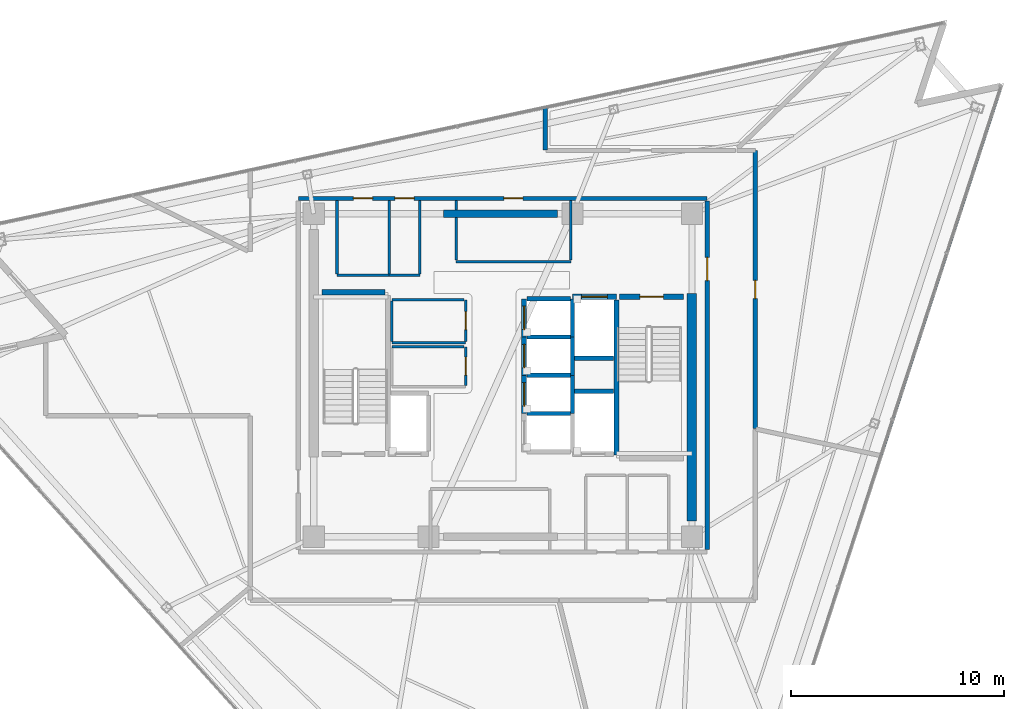
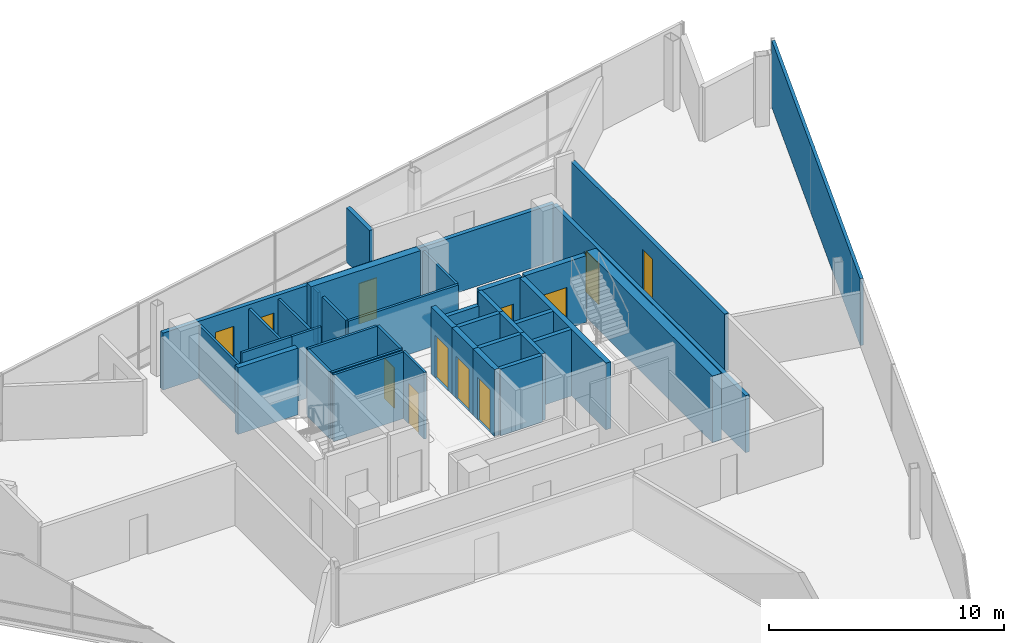
# One storey, part 11 of 15: 38 walls, 12 doors, 12 openings.
"""IFC4 building model written with IfcOpenShell, lengths in metres."""

from ifc_helpers import new_model, si_unit, direction, frame, frame_2d, origin, place, context, subcontext, project, spatial, rectangle, extrude, material, layer, layer_set, type_object, element, fill, save


model = new_model("IFC4")

# Units and contexts
model_context = context("Model", 3, precision=1e-05, world=origin(), true_north=direction((0.0, 1.0)))
body_context = subcontext(model_context, "Body", "Model", "MODEL_VIEW")
ifc_project = project(units=[si_unit("LENGTHUNIT", "METRE"), si_unit("AREAUNIT", "SQUARE_METRE"), si_unit("VOLUMEUNIT", "CUBIC_METRE"), si_unit("PLANEANGLEUNIT", "RADIAN"), si_unit("MASSUNIT", "GRAM", prefix="KILO")], contexts=[model_context])

# Site, building, storey
site_placement = place(None, origin())
site = spatial("IfcSite", under=ifc_project, at=site_placement, CompositionType="ELEMENT")
building_placement = place(site_placement, origin())
building = spatial("IfcBuilding", under=site, at=building_placement, Name="Tharavind Bronze Gate", CompositionType="ELEMENT")
storey_placement = place(building_placement, frame((0.0, 0.0, 283.39990234375)))
storey = spatial("IfcBuildingStorey", under=building, at=storey_placement, Name="L73", CompositionType="ELEMENT", Elevation=283.39990234375)

# Wall, openings, doors
ifc_material_1 = material(Name="Aerated Concrete Block", Category="concrete")
ifc_layer_1 = layer(ifc_material_1, 0.199951171875)
ifc_layer_set_1 = layer_set([ifc_layer_1], Name="Aerated Concrete Block")
wall_type_1 = type_object("IfcWallType", Name="FIRE RATED PARTITION 200", PredefinedType="PARTITIONING", material=ifc_layer_set_1)
wall_1_placement = place(storey_placement, frame((9.6201171875, 8.320068359375, 0.0), z_axis=(0.0, 0.0, 1.0), x_axis=(-1.0, 0.0, 0.0)))
wall_1 = element("IfcWall", 1, at=wall_1_placement, inside=storey, type_object=wall_type_1, Name="L73 north core corridor wall", PredefinedType="PARTITIONING", context=body_context, shape_type="SweptSolid", body=[
    extrude(rectangle(XDim=19.240234375, YDim=0.199951171875, at=frame_2d((9.6201171875, 0.0))), origin(), (0.0, 0.0, 1.0), 2.960205078125),
])
opening_1_placement = place(wall_1_placement, frame((8.669921875, 0.0, 0.0)))
opening_1 = element("IfcOpeningElement", 2, at=opening_1_placement, cuts=wall_1, Name="Opening ID07", PredefinedType="OPENING", context=body_context, shape_type="SweptSolid", body=[
    extrude(rectangle(XDim=0.89990234375, YDim=2.10009765625, at=frame_2d((0.449951171875, 1.050048828125))), frame((0.0, 0.11009765625, 0.0), z_axis=(0.0, -1.0, 0.0), x_axis=(1.0, 0.0, 0.0)), (0.0, 0.0, 1.0), 0.219951171875),
])
opening_2_placement = place(wall_1_placement, frame((15.7451171875, 0.0, 0.0)))
opening_2 = element("IfcOpeningElement", 3, at=opening_2_placement, cuts=wall_1, Name="Opening ID07", PredefinedType="OPENING", context=body_context, shape_type="SweptSolid", body=[
    extrude(rectangle(XDim=0.89990234375, YDim=2.10009765625, at=frame_2d((0.449951171875, 1.050048828125))), frame((0.0, 0.11009765625, 0.0), z_axis=(0.0, -1.0, 0.0), x_axis=(1.0, 0.0, 0.0)), (0.0, 0.0, 1.0), 0.219951171875),
])
opening_3_placement = place(wall_1_placement, frame((13.794921875, 0.0, 0.0)))
opening_3 = element("IfcOpeningElement", 4, at=opening_3_placement, cuts=wall_1, Name="Opening ID07", PredefinedType="OPENING", context=body_context, shape_type="SweptSolid", body=[
    extrude(rectangle(XDim=0.89990234375, YDim=2.10009765625, at=frame_2d((0.449951171875, 1.050048828125))), frame((0.0, 0.11009765625, 0.0), z_axis=(0.0, -1.0, 0.0), x_axis=(1.0, 0.0, 0.0)), (0.0, 0.0, 1.0), 0.219951171875),
])
ifc_material_2 = material(Name="Galvanised Fire Steel", Category="steel")
door_type_1 = type_object("IfcDoorType", Name="PLANT AND RISER FIRE DOOR 900X2100", OperationType="SINGLE_SWING_LEFT", PredefinedType="DOOR", material=ifc_material_2)
door_1_placement = place(opening_1_placement, origin())
door_1 = element("IfcDoor", 5, at=door_1_placement, inside=storey, type_object=door_type_1, Name="L73 Core Avionics Room fire door", OperationType="SINGLE_SWING_LEFT", OverallHeight=2.10009765625, OverallWidth=0.89990234375, PredefinedType="DOOR", context=body_context, shape_type="SweptSolid", body=[
    extrude(rectangle(XDim=0.89990234375, YDim=2.10009765625, at=frame_2d((0.449951171875, 1.050048828125))), frame((0.0, 0.02490234375, 0.0), z_axis=(0.0, -1.0, 0.0), x_axis=(1.0, 0.0, 0.0)), (0.0, 0.0, 1.0), 0.050048828125),
])
fill(opening_1, door_1)
door_2_placement = place(opening_2_placement, origin())
door_2 = element("IfcDoor", 6, at=door_2_placement, inside=storey, type_object=door_type_1, Name="L73 Electrical Metering Room fire door", OperationType="SINGLE_SWING_LEFT", OverallHeight=2.10009765625, OverallWidth=0.89990234375, PredefinedType="DOOR", context=body_context, shape_type="SweptSolid", body=[
    extrude(rectangle(XDim=0.89990234375, YDim=2.10009765625, at=frame_2d((0.449951171875, 1.050048828125))), frame((0.0, 0.02490234375, 0.0), z_axis=(0.0, -1.0, 0.0), x_axis=(1.0, 0.0, 0.0)), (0.0, 0.0, 1.0), 0.050048828125),
])
fill(opening_2, door_2)
door_3_placement = place(opening_3_placement, origin())
door_3 = element("IfcDoor", 7, at=door_3_placement, inside=storey, type_object=door_type_1, Name="L73 Linen Cupboard fire door", OperationType="SINGLE_SWING_LEFT", OverallHeight=2.10009765625, OverallWidth=0.89990234375, PredefinedType="DOOR", context=body_context, shape_type="SweptSolid", body=[
    extrude(rectangle(XDim=0.89990234375, YDim=2.10009765625, at=frame_2d((0.449951171875, 1.050048828125))), frame((0.0, 0.02490234375, 0.0), z_axis=(0.0, -1.0, 0.0), x_axis=(1.0, 0.0, 0.0)), (0.0, 0.0, 1.0), 0.050048828125),
])
fill(opening_3, door_3)

# Wall, opening, door
wall_2_placement = place(storey_placement, frame((9.6201171875, -8.199951171875, 0.0), z_axis=(0.0, 0.0, 1.0), x_axis=(0.0, 1.0, 0.0)))
wall_2 = element("IfcWall", 8, at=wall_2_placement, inside=storey, type_object=wall_type_1, Name="L73 east core corridor wall", PredefinedType="PARTITIONING", context=body_context, shape_type="SweptSolid", body=[
    extrude(rectangle(XDim=16.39990234375, YDim=0.199951171875, at=frame_2d((8.199951171875, 0.0))), origin(), (0.0, 0.0, 1.0), 2.960205078125),
])
opening_4_placement = place(wall_2_placement, frame((12.64990234375, 0.0, 0.0)))
opening_4 = element("IfcOpeningElement", 9, at=opening_4_placement, cuts=wall_2, Name="Opening ID01", PredefinedType="OPENING", context=body_context, shape_type="SweptSolid", body=[
    extrude(rectangle(XDim=1.10009765625, YDim=2.14990234375, at=frame_2d((0.550048828125, 1.074951171875))), frame((0.0, 0.11009765625, 0.0), z_axis=(0.0, -1.0, 0.0), x_axis=(1.0, 0.0, 0.0)), (0.0, 0.0, 1.0), 0.219951171875),
])
ifc_material_3 = material(Name="Fire-Rated Steel", Category="steel")
door_type_2 = type_object("IfcDoorType", Name="STAIR CORE FIRE DOOR 1100X2150", OperationType="SINGLE_SWING_LEFT", PredefinedType="DOOR", material=ifc_material_3)
door_4_placement = place(opening_4_placement, frame((1.10009765625, 0.0, 0.0), z_axis=(0.0, 0.0, 1.0), x_axis=(-1.0, 0.0, 0.0)))
door_4 = element("IfcDoor", 10, at=door_4_placement, inside=storey, type_object=door_type_2, Name="L73 north east stair lobby fire door", OperationType="SINGLE_SWING_LEFT", OverallHeight=2.14990234375, OverallWidth=1.10009765625, PredefinedType="DOOR", context=body_context, shape_type="SweptSolid", body=[
    extrude(rectangle(XDim=1.10009765625, YDim=2.14990234375, at=frame_2d((0.550048828125, 1.074951171875))), frame((0.0, 0.02490234375, 0.0), z_axis=(0.0, -1.0, 0.0), x_axis=(1.0, 0.0, 0.0)), (0.0, 0.0, 1.0), 0.050048828125),
])
fill(opening_4, door_4)

wall_3_placement = place(storey_placement, frame((11.8798828125, -2.5048828125, 0.0), z_axis=(0.0, 0.0, 1.0), x_axis=(0.0, 1.0, 0.0)))
wall_3 = element("IfcWall", 11, at=wall_3_placement, inside=storey, type_object=wall_type_1, Name="L73 Public Restrooms Block partition", PredefinedType="PARTITIONING", context=body_context, shape_type="SweptSolid", body=[
    extrude(rectangle(XDim=13.084228515625, YDim=0.199951171875, at=frame_2d((6.5419921875, 0.0))), origin(), (0.0, 0.0, 1.0), 2.960205078125),
])
opening_5_placement = place(wall_3_placement, frame((6.116943359375, 0.0, 0.0)))
opening_5 = element("IfcOpeningElement", 12, at=opening_5_placement, cuts=wall_3, Name="Opening ID06", PredefinedType="OPENING", context=body_context, shape_type="SweptSolid", body=[
    extrude(rectangle(XDim=0.85009765625, YDim=2.10009765625, at=frame_2d((0.425048828125, 1.050048828125))), frame((0.0, 0.11009765625, 0.0), z_axis=(0.0, -1.0, 0.0), x_axis=(1.0, 0.0, 0.0)), (0.0, 0.0, 1.0), 0.219951171875),
])
ifc_material_4 = material(Name="Moisture-Resistant Timber", Category="wood")
door_type_3 = type_object("IfcDoorType", Name="BATHROOM PRIVACY DOOR 850X2100", OperationType="SINGLE_SWING_RIGHT", PredefinedType="DOOR", material=ifc_material_4)
door_5_placement = place(opening_5_placement, origin())
door_5 = element("IfcDoor", 13, at=door_5_placement, inside=storey, type_object=door_type_3, Name="L73 Public Restrooms Block door", OperationType="SINGLE_SWING_RIGHT", OverallHeight=2.10009765625, OverallWidth=0.85009765625, PredefinedType="DOOR", context=body_context, shape_type="SweptSolid", body=[
    extrude(rectangle(XDim=0.85009765625, YDim=2.10009765625, at=frame_2d((0.425048828125, 1.050048828125))), frame((0.0, 0.02490234375, 0.0), z_axis=(0.0, -1.0, 0.0), x_axis=(1.0, 0.0, 0.0)), (0.0, 0.0, 1.0), 0.050048828125),
])
fill(opening_5, door_5)

# Walls
wall_4_placement = place(storey_placement, frame((2.0, 10.60498046875, 0.0), z_axis=(0.0, 0.0, 1.0), x_axis=(0.0, 1.0, 0.0)))
element("IfcWall", 14, at=wall_4_placement, inside=storey, type_object=wall_type_1, Name="L73 Crown Members Reading Study partition", PredefinedType="PARTITIONING", context=body_context, shape_type="SweptSolid", body=[
    extrude(rectangle(XDim=1.990966796875, YDim=0.199951171875, at=frame_2d((0.99560546875, 0.0))), origin(), (0.0, 0.0, 1.0), 2.81005859375),
])
ifc_material_5 = material(Name="Metal Stud Gypsum Partition", Category="gypsum")
ifc_layer_2 = layer(ifc_material_5, 0.1201171875)
ifc_layer_set_2 = layer_set([ifc_layer_2], Name="Metal Stud Gypsum Partition")
wall_type_2 = type_object("IfcWallType", Name="INTERIOR PARTITION WALL 120", PredefinedType="PARTITIONING", material=ifc_layer_set_2)
wall_5_placement = place(storey_placement, frame((-5.219970703125, 1.52001953125, 0.0), z_axis=(0.0, 0.0, 1.0), x_axis=(1.0, 0.0, 0.0)))
element("IfcWall", 15, at=wall_5_placement, inside=storey, type_object=wall_type_2, Name="L73 Cleaner Store Room partition 1", PredefinedType="PARTITIONING", context=body_context, shape_type="SweptSolid", body=[
    extrude(rectangle(XDim=3.469970703125, YDim=0.1201171875, at=frame_2d((1.73486328125, 0.0))), origin(), (0.0, 0.0, 1.0), 3.465087890625),
])

# Wall, opening, door
wall_6_placement = place(storey_placement, frame((-1.75, 1.5849609375, 0.0), z_axis=(0.0, 0.0, 1.0), x_axis=(0.0, 1.0, 0.0)))
wall_6 = element("IfcWall", 16, at=wall_6_placement, inside=storey, type_object=wall_type_2, Name="L73 Cleaner Store Room partition 2", PredefinedType="PARTITIONING", context=body_context, shape_type="SweptSolid", body=[
    extrude(rectangle(XDim=1.965087890625, YDim=0.1201171875, at=frame_2d((0.982421875, 0.0))), origin(), (0.0, 0.0, 1.0), 3.465087890625),
])
opening_6_placement = place(wall_6_placement, frame((0.556884765625, 0.0, 0.0)))
opening_6 = element("IfcOpeningElement", 17, at=opening_6_placement, cuts=wall_6, Name="Opening ID06", PredefinedType="OPENING", context=body_context, shape_type="SweptSolid", body=[
    extrude(rectangle(XDim=0.85009765625, YDim=2.10009765625, at=frame_2d((0.425048828125, 1.050048828125))), frame((0.0, 0.07005859375, 0.0), z_axis=(0.0, -1.0, 0.0), x_axis=(1.0, 0.0, 0.0)), (0.0, 0.0, 1.0), 0.1401171875),
])
door_6_placement = place(opening_6_placement, frame((0.85009765625, 0.0, 0.0), z_axis=(0.0, 0.0, 1.0), x_axis=(-1.0, 0.0, 0.0)))
door_6 = element("IfcDoor", 18, at=door_6_placement, inside=storey, type_object=door_type_3, Name="L73 Cleaner Store Room door", OperationType="SINGLE_SWING_RIGHT", OverallHeight=2.10009765625, OverallWidth=0.85009765625, PredefinedType="DOOR", context=body_context, shape_type="SweptSolid", body=[
    extrude(rectangle(XDim=0.85009765625, YDim=2.10009765625, at=frame_2d((0.425048828125, 1.050048828125))), frame((0.0, 0.02490234375, 0.0), z_axis=(0.0, -1.0, 0.0), x_axis=(1.0, 0.0, 0.0)), (0.0, 0.0, 1.0), 0.050048828125),
])
fill(opening_6, door_6)

# Walls
wall_7_placement = place(storey_placement, frame((-1.81494140625, 3.550048828125, 0.0), z_axis=(0.0, 0.0, 1.0), x_axis=(-1.0, 0.0, 0.0)))
element("IfcWall", 19, at=wall_7_placement, inside=storey, type_object=wall_type_2, Name="L73 Cleaner Store Room partition 3", PredefinedType="PARTITIONING", context=body_context, shape_type="SweptSolid", body=[
    extrude(rectangle(XDim=3.405029296875, YDim=0.1201171875, at=frame_2d((1.70263671875, 0.0))), origin(), (0.0, 0.0, 1.0), 3.465087890625),
])
wall_8_placement = place(storey_placement, frame((-5.219970703125, 3.485107421875, 0.0), z_axis=(0.0, 0.0, 1.0), x_axis=(0.0, -1.0, 0.0)))
element("IfcWall", 20, at=wall_8_placement, inside=storey, type_object=wall_type_2, Name="L73 Cleaner Store Room partition 4", PredefinedType="PARTITIONING", context=body_context, shape_type="SweptSolid", body=[
    extrude(rectangle(XDim=1.900146484375, YDim=0.1201171875, at=frame_2d((0.9501953125, 0.0))), origin(), (0.0, 0.0, 1.0), 3.465087890625),
])

# Wall, opening, door
wall_9_placement = place(storey_placement, frame((-1.75, -0.485107421875, 0.0), z_axis=(0.0, 0.0, 1.0), x_axis=(0.0, 1.0, 0.0)))
wall_9 = element("IfcWall", 21, at=wall_9_placement, inside=storey, type_object=wall_type_2, Name="L73 Electrical Switch Room partition 2", PredefinedType="PARTITIONING", context=body_context, shape_type="SweptSolid", body=[
    extrude(rectangle(XDim=1.8251953125, YDim=0.1201171875, at=frame_2d((0.91259765625, 0.0))), origin(), (0.0, 0.0, 1.0), 3.465087890625),
])
opening_7_placement = place(wall_9_placement, frame((0.488037109375, 0.0, 0.0)))
opening_7 = element("IfcOpeningElement", 22, at=opening_7_placement, cuts=wall_9, Name="Opening ID06", PredefinedType="OPENING", context=body_context, shape_type="SweptSolid", body=[
    extrude(rectangle(XDim=0.85009765625, YDim=2.10009765625, at=frame_2d((0.425048828125, 1.050048828125))), frame((0.0, 0.07005859375, 0.0), z_axis=(0.0, -1.0, 0.0), x_axis=(1.0, 0.0, 0.0)), (0.0, 0.0, 1.0), 0.1401171875),
])
door_7_placement = place(opening_7_placement, frame((0.85009765625, 0.0, 0.0), z_axis=(0.0, 0.0, 1.0), x_axis=(-1.0, 0.0, 0.0)))
door_7 = element("IfcDoor", 23, at=door_7_placement, inside=storey, type_object=door_type_3, Name="L73 Electrical Switch Room door", OperationType="SINGLE_SWING_RIGHT", OverallHeight=2.10009765625, OverallWidth=0.85009765625, PredefinedType="DOOR", context=body_context, shape_type="SweptSolid", body=[
    extrude(rectangle(XDim=0.85009765625, YDim=2.10009765625, at=frame_2d((0.425048828125, 1.050048828125))), frame((0.0, 0.02490234375, 0.0), z_axis=(0.0, -1.0, 0.0), x_axis=(1.0, 0.0, 0.0)), (0.0, 0.0, 1.0), 0.050048828125),
])
fill(opening_7, door_7)

# Walls
wall_10_placement = place(storey_placement, frame((-1.81494140625, 1.340087890625, 0.0), z_axis=(0.0, 0.0, 1.0), x_axis=(-1.0, 0.0, 0.0)))
element("IfcWall", 24, at=wall_10_placement, inside=storey, type_object=wall_type_2, Name="L73 Electrical Switch Room partition 3", PredefinedType="PARTITIONING", context=body_context, shape_type="SweptSolid", body=[
    extrude(rectangle(XDim=3.405029296875, YDim=0.1201171875, at=frame_2d((1.70263671875, 0.0))), origin(), (0.0, 0.0, 1.0), 3.465087890625),
])
wall_11_placement = place(storey_placement, frame((-2.199951171875, 5.35009765625, 0.0), z_axis=(0.0, 0.0, 1.0), x_axis=(1.0, 0.0, 0.0)))
element("IfcWall", 25, at=wall_11_placement, inside=storey, type_object=wall_type_2, Name="L73 Core Avionics Room partition 1", PredefinedType="PARTITIONING", context=body_context, shape_type="SweptSolid", body=[
    extrude(rectangle(XDim=5.39990234375, YDim=0.1201171875, at=frame_2d((2.699951171875, 0.0))), origin(), (0.0, 0.0, 1.0), 2.760009765625),
])
wall_12_placement = place(storey_placement, frame((3.199951171875, 5.4150390625, 0.0), z_axis=(0.0, 0.0, 1.0), x_axis=(0.0, 1.0, 0.0)))
element("IfcWall", 26, at=wall_12_placement, inside=storey, type_object=wall_type_2, Name="L73 Core Avionics Room partition 2", PredefinedType="PARTITIONING", context=body_context, shape_type="SweptSolid", body=[
    extrude(rectangle(XDim=2.800048828125, YDim=0.1201171875, at=frame_2d((1.39990234375, 0.0))), origin(), (0.0, 0.0, 1.0), 2.760009765625),
])
wall_13_placement = place(storey_placement, frame((-2.199951171875, 8.215087890625, 0.0), z_axis=(0.0, 0.0, 1.0), x_axis=(0.0, -1.0, 0.0)))
element("IfcWall", 27, at=wall_13_placement, inside=storey, type_object=wall_type_2, Name="L73 Core Avionics Room partition 4", PredefinedType="PARTITIONING", context=body_context, shape_type="SweptSolid", body=[
    extrude(rectangle(XDim=0.43505859375, YDim=0.1201171875, at=frame_2d((0.217529296875, 0.0))), origin(), (0.0, 0.0, 1.0), 2.760009765625),
])
wall_14_placement = place(storey_placement, frame((-2.199951171875, 7.419921875, 0.0), z_axis=(0.0, 0.0, 1.0), x_axis=(0.0, -1.0, 0.0)))
element("IfcWall", 28, at=wall_14_placement, inside=storey, type_object=wall_type_2, Name="L73 Core Avionics Room partition 4", PredefinedType="PARTITIONING", context=body_context, shape_type="SweptSolid", body=[
    extrude(rectangle(XDim=2.0048828125, YDim=0.1201171875, at=frame_2d((1.00244140625, 0.0))), origin(), (0.0, 0.0, 1.0), 2.760009765625),
])
wall_15_placement = place(storey_placement, frame((-7.800048828125, 4.699951171875, 0.0), z_axis=(0.0, 0.0, 1.0), x_axis=(1.0, 0.0, 0.0)))
element("IfcWall", 29, at=wall_15_placement, inside=storey, type_object=wall_type_2, Name="L73 Electrical Metering Room partition 1", PredefinedType="PARTITIONING", context=body_context, shape_type="SweptSolid", body=[
    extrude(rectangle(XDim=2.449951171875, YDim=0.1201171875, at=frame_2d((1.22509765625, 0.0))), origin(), (0.0, 0.0, 1.0), 3.465087890625),
])
for number, where, z_axis, x_axis, name in (
    (30, (-5.35009765625, 4.764892578125, 0.0), (0.0, 0.0, 1.0), (0.0, 1.0, 0.0), "L73 Electrical Metering Room partition 2"),
    (31, (-7.800048828125, 8.215087890625, 0.0), (0.0, 0.0, 1.0), (0.0, -1.0, 0.0), "L73 Electrical Metering Room partition 4"),
):
    element("IfcWall", number, at=place(storey_placement, frame(where, z_axis=z_axis, x_axis=x_axis)), inside=storey, type_object=wall_type_2, Name=name, PredefinedType="PARTITIONING", context=body_context, shape_type="SweptSolid", body=[
        extrude(rectangle(XDim=3.4501953125, YDim=0.1201171875, at=frame_2d((1.72509765625, 0.0))), origin(), (0.0, 0.0, 1.0), 2.760009765625),
    ])
wall_16_placement = place(storey_placement, frame((-5.35009765625, 4.699951171875, 0.0), z_axis=(0.0, 0.0, 1.0), x_axis=(1.0, 0.0, 0.0)))
element("IfcWall", 32, at=wall_16_placement, inside=storey, type_object=wall_type_2, Name="L73 Linen Cupboard partition 1", PredefinedType="PARTITIONING", context=body_context, shape_type="SweptSolid", body=[
    extrude(rectangle(XDim=1.4501953125, YDim=0.1201171875, at=frame_2d((0.72509765625, 0.0))), origin(), (0.0, 0.0, 1.0), 3.465087890625),
])
wall_17_placement = place(storey_placement, frame((-3.89990234375, 4.764892578125, 0.0), z_axis=(0.0, 0.0, 1.0), x_axis=(0.0, 1.0, 0.0)))
element("IfcWall", 33, at=wall_17_placement, inside=storey, type_object=wall_type_2, Name="L73 Linen Cupboard partition 2", PredefinedType="PARTITIONING", context=body_context, shape_type="SweptSolid", body=[
    extrude(rectangle(XDim=3.4501953125, YDim=0.1201171875, at=frame_2d((1.72509765625, 0.0))), origin(), (0.0, 0.0, 1.0), 2.760009765625),
])
ifc_material_6 = material(Name="Twin Stud Acoustic Gypsum", Category="gypsum")
ifc_layer_3 = layer(ifc_material_6, 0.14990234375)
ifc_layer_set_3 = layer_set([ifc_layer_3], Name="Twin Stud Acoustic Gypsum")
wall_type_3 = type_object("IfcWallType", Name="INTERIOR PARTITION WALL 150", PredefinedType="PARTITIONING", material=ifc_layer_set_3)
wall_18_placement = place(storey_placement, frame((23.378662109375, 13.43310546875, 0.0), z_axis=(0.0, 0.0, 1.0), x_axis=(-0.309022856951, -0.951054611409, 0.0)))
element("IfcWall", 34, at=wall_18_placement, inside=storey, type_object=wall_type_3, Name="L73 Public Restrooms Block partition", PredefinedType="PARTITIONING", context=body_context, shape_type="SweptSolid", body=[
    extrude(rectangle(XDim=18.076904296875, YDim=0.14990234375, at=frame_2d((9.03857421875, 0.0))), origin(), (0.0, 0.0, 1.0), 3.465087890625),
])
ifc_material_7 = material(Name="Concrete C50/60", Category="concrete")
ifc_layer_4 = layer(ifc_material_7, 0.25)
ifc_layer_set_4 = layer_set([ifc_layer_4], Name="Concrete C50/60")
wall_type_4 = type_object("IfcWallType", Name="RC CORE SHEAR WALL 250", PredefinedType="SHEAR", material=ifc_layer_set_4)
wall_19_placement = place(storey_placement, frame((-8.5, 3.89990234375, 0.0), z_axis=(0.0, 0.0, 1.0), x_axis=(1.0, 0.0, 0.0)))
element("IfcWall", 35, at=wall_19_placement, inside=storey, type_object=wall_type_4, Name="L73 ST1 shaft north wall", PredefinedType="SHEAR", context=body_context, shape_type="SweptSolid", body=[
    extrude(rectangle(XDim=2.949951171875, YDim=0.25, at=frame_2d((1.47509765625, 0.0))), origin(), (0.0, 0.0, 1.0), 3.465087890625),
])
wall_20_placement = place(storey_placement, frame((5.35009765625, -3.75, 0.0), z_axis=(0.0, 0.0, 1.0), x_axis=(0.0, 1.0, 0.0)))
element("IfcWall", 36, at=wall_20_placement, inside=storey, type_object=wall_type_4, Name="L73 ST2 shaft west wall", PredefinedType="SHEAR", context=body_context, shape_type="SweptSolid", body=[
    extrude(rectangle(XDim=7.300048828125, YDim=0.25, at=frame_2d((3.64990234375, 0.0))), origin(), (0.0, 0.0, 1.0), 3.465087890625),
])

# Wall, opening, door
wall_21_placement = place(storey_placement, frame((5.5, 3.699951171875, 0.0), z_axis=(0.0, 0.0, 1.0), x_axis=(1.0, 0.0, 0.0)))
wall_21 = element("IfcWall", 37, at=wall_21_placement, inside=storey, type_object=wall_type_4, Name="L73 ST2 shaft north wall", PredefinedType="SHEAR", context=body_context, shape_type="SweptSolid", body=[
    extrude(rectangle(XDim=3.0, YDim=0.25, at=frame_2d((1.5, 0.0))), origin(), (0.0, 0.0, 1.0), 3.465087890625),
])
opening_8_placement = place(wall_21_placement, frame((0.949951171875, 0.0, 0.0)))
opening_8 = element("IfcOpeningElement", 38, at=opening_8_placement, cuts=wall_21, Name="Opening ID01", PredefinedType="OPENING", context=body_context, shape_type="SweptSolid", body=[
    extrude(rectangle(XDim=1.10009765625, YDim=2.14990234375, at=frame_2d((0.550048828125, 1.074951171875))), frame((0.0, 0.135, 0.0), z_axis=(0.0, -1.0, 0.0), x_axis=(1.0, 0.0, 0.0)), (0.0, 0.0, 1.0), 0.27),
])
door_8_placement = place(opening_8_placement, frame((1.10009765625, 0.0, 0.0), z_axis=(0.0, 0.0, 1.0), x_axis=(-1.0, 0.0, 0.0)))
door_8 = element("IfcDoor", 39, at=door_8_placement, inside=storey, type_object=door_type_2, Name="L73 exit stair ST2 fire door", OperationType="SINGLE_SWING_LEFT", OverallHeight=2.14990234375, OverallWidth=1.10009765625, PredefinedType="DOOR", context=body_context, shape_type="SweptSolid", body=[
    extrude(rectangle(XDim=1.10009765625, YDim=2.14990234375, at=frame_2d((0.550048828125, 1.074951171875))), frame((0.0, 0.02490234375, 0.0), z_axis=(0.0, -1.0, 0.0), x_axis=(1.0, 0.0, 0.0)), (0.0, 0.0, 1.0), 0.050048828125),
])
fill(opening_8, door_8)

wall_22_placement = place(storey_placement, frame((1.0, -1.800048828125, 0.0), z_axis=(0.0, 0.0, 1.0), x_axis=(0.0, 1.0, 0.0)))
wall_22 = element("IfcWall", 40, at=wall_22_placement, inside=storey, type_object=wall_type_4, Name="L73 lift PL10 shaft front wall", PredefinedType="SHEAR", context=body_context, shape_type="SweptSolid", body=[
    extrude(rectangle(XDim=1.800048828125, YDim=0.25, at=frame_2d((0.89990234375, 0.0))), origin(), (0.0, 0.0, 1.0), 3.465087890625),
])
opening_9_placement = place(wall_22_placement, frame((0.35009765625, 0.0, 0.0)))
opening_9 = element("IfcOpeningElement", 41, at=opening_9_placement, cuts=wall_22, Name="Opening LD01", PredefinedType="OPENING", context=body_context, shape_type="SweptSolid", body=[
    extrude(rectangle(XDim=1.10009765625, YDim=2.199951171875, at=frame_2d((0.550048828125, 1.10009765625))), frame((0.0, 0.135, 0.0), z_axis=(0.0, -1.0, 0.0), x_axis=(1.0, 0.0, 0.0)), (0.0, 0.0, 1.0), 0.27),
])
ifc_material_8 = material(Name="Brushed Bronze Stainless Steel", Category="steel")
door_type_4 = type_object("IfcDoorType", Name="LIFT LANDING SLIDING DOOR 1100X2200", OperationType="SLIDING_TO_LEFT", PredefinedType="DOOR", material=ifc_material_8)
door_9_placement = place(opening_9_placement, origin())
door_9 = element("IfcDoor", 42, at=door_9_placement, inside=storey, type_object=door_type_4, Name="L73 lift PL10 sliding landing door", OperationType="SLIDING_TO_LEFT", OverallHeight=2.199951171875, OverallWidth=1.10009765625, PredefinedType="DOOR", context=body_context, shape_type="SweptSolid", body=[
    extrude(rectangle(XDim=1.10009765625, YDim=2.199951171875, at=frame_2d((0.550048828125, 1.10009765625))), frame((0.0, 0.02490234375, 0.0), z_axis=(0.0, -1.0, 0.0), x_axis=(1.0, 0.0, 0.0)), (0.0, 0.0, 1.0), 0.050048828125),
])
fill(opening_9, door_9)

wall_23_placement = place(storey_placement, frame((1.0, 0.0, 0.0), z_axis=(0.0, 0.0, 1.0), x_axis=(0.0, 1.0, 0.0)))
wall_23 = element("IfcWall", 43, at=wall_23_placement, inside=storey, type_object=wall_type_4, Name="L73 lift PL11 shaft front wall", PredefinedType="SHEAR", context=body_context, shape_type="SweptSolid", body=[
    extrude(rectangle(XDim=1.800048828125, YDim=0.25, at=frame_2d((0.89990234375, 0.0))), origin(), (0.0, 0.0, 1.0), 3.465087890625),
])
opening_10_placement = place(wall_23_placement, frame((0.35009765625, 0.0, 0.0)))
opening_10 = element("IfcOpeningElement", 44, at=opening_10_placement, cuts=wall_23, Name="Opening LD01", PredefinedType="OPENING", context=body_context, shape_type="SweptSolid", body=[
    extrude(rectangle(XDim=1.10009765625, YDim=2.199951171875, at=frame_2d((0.550048828125, 1.10009765625))), frame((0.0, 0.135, 0.0), z_axis=(0.0, -1.0, 0.0), x_axis=(1.0, 0.0, 0.0)), (0.0, 0.0, 1.0), 0.27),
])
door_10_placement = place(opening_10_placement, origin())
door_10 = element("IfcDoor", 45, at=door_10_placement, inside=storey, type_object=door_type_4, Name="L73 lift PL11 sliding landing door", OperationType="SLIDING_TO_LEFT", OverallHeight=2.199951171875, OverallWidth=1.10009765625, PredefinedType="DOOR", context=body_context, shape_type="SweptSolid", body=[
    extrude(rectangle(XDim=1.10009765625, YDim=2.199951171875, at=frame_2d((0.550048828125, 1.10009765625))), frame((0.0, 0.02490234375, 0.0), z_axis=(0.0, -1.0, 0.0), x_axis=(1.0, 0.0, 0.0)), (0.0, 0.0, 1.0), 0.050048828125),
])
fill(opening_10, door_10)

wall_24_placement = place(storey_placement, frame((1.0, 1.800048828125, 0.0), z_axis=(0.0, 0.0, 1.0), x_axis=(0.0, 1.0, 0.0)))
wall_24 = element("IfcWall", 46, at=wall_24_placement, inside=storey, type_object=wall_type_4, Name="L73 lift PL12 shaft front wall", PredefinedType="SHEAR", context=body_context, shape_type="SweptSolid", body=[
    extrude(rectangle(XDim=1.800048828125, YDim=0.25, at=frame_2d((0.89990234375, 0.0))), origin(), (0.0, 0.0, 1.0), 3.465087890625),
])
opening_11_placement = place(wall_24_placement, frame((0.35009765625, 0.0, 0.0)))
opening_11 = element("IfcOpeningElement", 47, at=opening_11_placement, cuts=wall_24, Name="Opening LD01", PredefinedType="OPENING", context=body_context, shape_type="SweptSolid", body=[
    extrude(rectangle(XDim=1.10009765625, YDim=2.199951171875, at=frame_2d((0.550048828125, 1.10009765625))), frame((0.0, 0.135, 0.0), z_axis=(0.0, -1.0, 0.0), x_axis=(1.0, 0.0, 0.0)), (0.0, 0.0, 1.0), 0.27),
])
door_11_placement = place(opening_11_placement, origin())
door_11 = element("IfcDoor", 48, at=door_11_placement, inside=storey, type_object=door_type_4, Name="L73 lift PL12 sliding landing door", OperationType="SLIDING_TO_LEFT", OverallHeight=2.199951171875, OverallWidth=1.10009765625, PredefinedType="DOOR", context=body_context, shape_type="SweptSolid", body=[
    extrude(rectangle(XDim=1.10009765625, YDim=2.199951171875, at=frame_2d((0.550048828125, 1.10009765625))), frame((0.0, 0.02490234375, 0.0), z_axis=(0.0, -1.0, 0.0), x_axis=(1.0, 0.0, 0.0)), (0.0, 0.0, 1.0), 0.050048828125),
])
fill(opening_11, door_11)

wall_25_placement = place(storey_placement, frame((3.280029296875, 3.699951171875, 0.0), z_axis=(0.0, 0.0, 1.0), x_axis=(1.0, 0.0, 0.0)))
wall_25 = element("IfcWall", 49, at=wall_25_placement, inside=storey, type_object=wall_type_4, Name="L73 lift FFL2 shaft front wall", PredefinedType="SHEAR", context=body_context, shape_type="SweptSolid", body=[
    extrude(rectangle(XDim=2.070068359375, YDim=0.25, at=frame_2d((1.03515625, 0.0))), origin(), (0.0, 0.0, 1.0), 3.465087890625),
])
opening_12_placement = place(wall_25_placement, frame((0.43505859375, 0.0, 0.0)))
opening_12 = element("IfcOpeningElement", 50, at=opening_12_placement, cuts=wall_25, Name="Opening LD02", PredefinedType="OPENING", context=body_context, shape_type="SweptSolid", body=[
    extrude(rectangle(XDim=1.199951171875, YDim=2.199951171875, at=frame_2d((0.60009765625, 1.10009765625))), frame((0.0, 0.135, 0.0), z_axis=(0.0, -1.0, 0.0), x_axis=(1.0, 0.0, 0.0)), (0.0, 0.0, 1.0), 0.27),
])
ifc_material_9 = material(Name="Brushed Stainless Steel", Category="steel")
door_type_5 = type_object("IfcDoorType", Name="FIREFIGHTING LIFT LANDING DOOR 1200X2200", OperationType="SLIDING_TO_RIGHT", PredefinedType="DOOR", material=ifc_material_9)
door_12_placement = place(opening_12_placement, origin())
door_12 = element("IfcDoor", 51, at=door_12_placement, inside=storey, type_object=door_type_5, Name="L73 lift FFL2 sliding landing door", OperationType="SLIDING_TO_RIGHT", OverallHeight=2.199951171875, OverallWidth=1.199951171875, PredefinedType="DOOR", context=body_context, shape_type="SweptSolid", body=[
    extrude(rectangle(XDim=1.199951171875, YDim=2.199951171875, at=frame_2d((0.60009765625, 1.10009765625))), frame((0.0, 0.02490234375, 0.0), z_axis=(0.0, -1.0, 0.0), x_axis=(1.0, 0.0, 0.0)), (0.0, 0.0, 1.0), 0.050048828125),
])
fill(opening_12, door_12)

# Walls
ifc_layer_5 = layer(ifc_material_7, 0.35009765625)
ifc_layer_set_5 = layer_set([ifc_layer_5], Name="Concrete C50/60")
wall_type_5 = type_object("IfcWallType", Name="RC CORE SHEAR WALL 350", PredefinedType="SHEAR", material=ifc_layer_set_5)
wall_26_placement = place(storey_placement, frame((-2.800048828125, 7.60009765625, 0.0), z_axis=(0.0, 0.0, 1.0), x_axis=(1.0, 0.0, 0.0)))
element("IfcWall", 52, at=wall_26_placement, inside=storey, type_object=wall_type_5, Name="L73 north core shear wall", PredefinedType="SHEAR", context=body_context, shape_type="SweptSolid", body=[
    extrude(rectangle(XDim=5.380126953125, YDim=0.35009765625, at=frame_2d((2.68994140625, 0.0))), origin(), (0.0, 0.0, 1.0), 3.465087890625),
])
ifc_material_10 = material(Name="Concrete C60/75", Category="concrete")
ifc_layer_6 = layer(ifc_material_10, 0.449951171875)
ifc_layer_set_6 = layer_set([ifc_layer_6], Name="Concrete C60/75")
wall_type_6 = type_object("IfcWallType", Name="RC CORE SHEAR WALL 450", PredefinedType="SHEAR", material=ifc_layer_set_6)
wall_27_placement = place(storey_placement, frame((8.89990234375, -6.85009765625, 0.0), z_axis=(0.0, 0.0, 1.0), x_axis=(0.0, 1.0, 0.0)))
element("IfcWall", 53, at=wall_27_placement, inside=storey, type_object=wall_type_6, Name="L73 east core shear wall", PredefinedType="SHEAR", context=body_context, shape_type="SweptSolid", body=[
    extrude(rectangle(XDim=10.7001953125, YDim=0.449951171875, at=frame_2d((5.35009765625, 0.0))), origin(), (0.0, 0.0, 1.0), 3.465087890625),
])
ifc_material_11 = material(Name="Concrete C40/50", Category="concrete")
ifc_layer_7 = layer(ifc_material_11, 0.199951171875)
ifc_layer_set_7 = layer_set([ifc_layer_7], Name="Concrete C40/50")
wall_type_7 = type_object("IfcWallType", Name="SHAFT ENCLOSURE WALL 200", PredefinedType="PARTITIONING", material=ifc_layer_set_7)
wall_28_placement = place(storey_placement, frame((1.1298828125, -1.800048828125, 0.0), z_axis=(0.0, 0.0, 1.0), x_axis=(1.0, 0.0, 0.0)))
element("IfcWall", 54, at=wall_28_placement, inside=storey, type_object=wall_type_7, Name="L73 lift PL9 shaft N enclosure wall", PredefinedType="PARTITIONING", context=body_context, shape_type="SweptSolid", body=[
    extrude(rectangle(XDim=2.045166015625, YDim=0.199951171875, at=frame_2d((1.0224609375, 0.0))), origin(), (0.0, 0.0, 1.0), 3.465087890625),
])
wall_29_placement = place(storey_placement, frame((3.280029296875, -1.800048828125, 0.0), z_axis=(0.0, 0.0, 1.0), x_axis=(0.0, 1.0, 0.0)))
element("IfcWall", 55, at=wall_29_placement, inside=storey, type_object=wall_type_7, Name="L73 lift PL10 shaft E enclosure wall", PredefinedType="PARTITIONING", context=body_context, shape_type="SweptSolid", body=[
    extrude(rectangle(XDim=1.800048828125, YDim=0.199951171875, at=frame_2d((0.89990234375, 0.0))), origin(), (0.0, 0.0, 1.0), 3.465087890625),
])
wall_30_placement = place(storey_placement, frame((1.1298828125, 0.0, 0.0), z_axis=(0.0, 0.0, 1.0), x_axis=(1.0, 0.0, 0.0)))
element("IfcWall", 56, at=wall_30_placement, inside=storey, type_object=wall_type_7, Name="L73 lift PL10 shaft N enclosure wall", PredefinedType="PARTITIONING", context=body_context, shape_type="SweptSolid", body=[
    extrude(rectangle(XDim=2.045166015625, YDim=0.199951171875, at=frame_2d((1.0224609375, 0.0))), origin(), (0.0, 0.0, 1.0), 3.465087890625),
])
wall_31_placement = place(storey_placement, frame((3.280029296875, 0.0, 0.0), z_axis=(0.0, 0.0, 1.0), x_axis=(0.0, 1.0, 0.0)))
element("IfcWall", 57, at=wall_31_placement, inside=storey, type_object=wall_type_7, Name="L73 lift PL11 shaft E enclosure wall", PredefinedType="PARTITIONING", context=body_context, shape_type="SweptSolid", body=[
    extrude(rectangle(XDim=1.800048828125, YDim=0.199951171875, at=frame_2d((0.89990234375, 0.0))), origin(), (0.0, 0.0, 1.0), 3.465087890625),
])
wall_32_placement = place(storey_placement, frame((1.1298828125, 1.800048828125, 0.0), z_axis=(0.0, 0.0, 1.0), x_axis=(1.0, 0.0, 0.0)))
element("IfcWall", 58, at=wall_32_placement, inside=storey, type_object=wall_type_7, Name="L73 lift PL11 shaft N enclosure wall", PredefinedType="PARTITIONING", context=body_context, shape_type="SweptSolid", body=[
    extrude(rectangle(XDim=2.045166015625, YDim=0.199951171875, at=frame_2d((1.0224609375, 0.0))), origin(), (0.0, 0.0, 1.0), 3.465087890625),
])
wall_33_placement = place(storey_placement, frame((3.280029296875, 1.800048828125, 0.0), z_axis=(0.0, 0.0, 1.0), x_axis=(0.0, 1.0, 0.0)))
element("IfcWall", 59, at=wall_33_placement, inside=storey, type_object=wall_type_7, Name="L73 lift PL12 shaft E enclosure wall", PredefinedType="PARTITIONING", context=body_context, shape_type="SweptSolid", body=[
    extrude(rectangle(XDim=1.800048828125, YDim=0.199951171875, at=frame_2d((0.89990234375, 0.0))), origin(), (0.0, 0.0, 1.0), 3.465087890625),
])
wall_34_placement = place(storey_placement, frame((1.1298828125, 3.60009765625, 0.0), z_axis=(0.0, 0.0, 1.0), x_axis=(1.0, 0.0, 0.0)))
element("IfcWall", 60, at=wall_34_placement, inside=storey, type_object=wall_type_7, Name="L73 lift PL12 shaft N enclosure wall", PredefinedType="PARTITIONING", context=body_context, shape_type="SweptSolid", body=[
    extrude(rectangle(XDim=2.045166015625, YDim=0.199951171875, at=frame_2d((1.0224609375, 0.0))), origin(), (0.0, 0.0, 1.0), 2.760009765625),
])
for number, where, z_axis, x_axis, name in (
    (61, (3.385009765625, 0.800048828125, 0.0), (0.0, 0.0, 1.0), (1.0, 0.0, 0.0), "L73 lift FFL2 shaft S enclosure wall"),
    (62, (3.385009765625, -0.75, 0.0), (0.0, 0.0, 1.0), (1.0, 0.0, 0.0), "L73 lift SVL1 shaft N enclosure wall"),
):
    element("IfcWall", number, at=place(storey_placement, frame(where, z_axis=z_axis, x_axis=x_axis)), inside=storey, type_object=wall_type_7, Name=name, PredefinedType="PARTITIONING", context=body_context, shape_type="SweptSolid", body=[
        extrude(rectangle(XDim=1.8349609375, YDim=0.199951171875, at=frame_2d((0.91748046875, 0.0))), origin(), (0.0, 0.0, 1.0), 3.465087890625),
    ])

save(model, "model.ifc")
